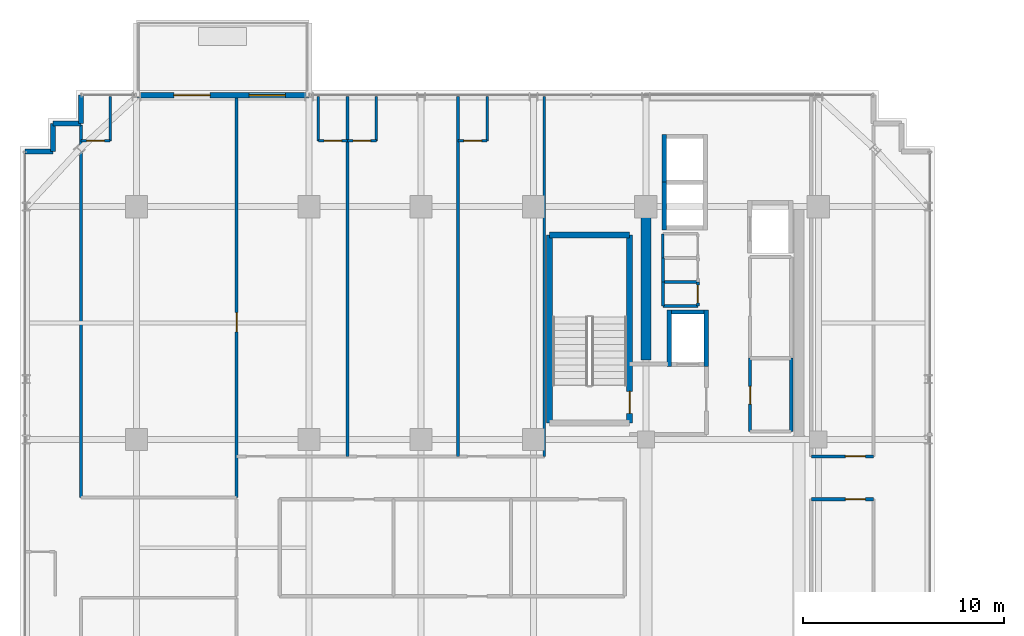
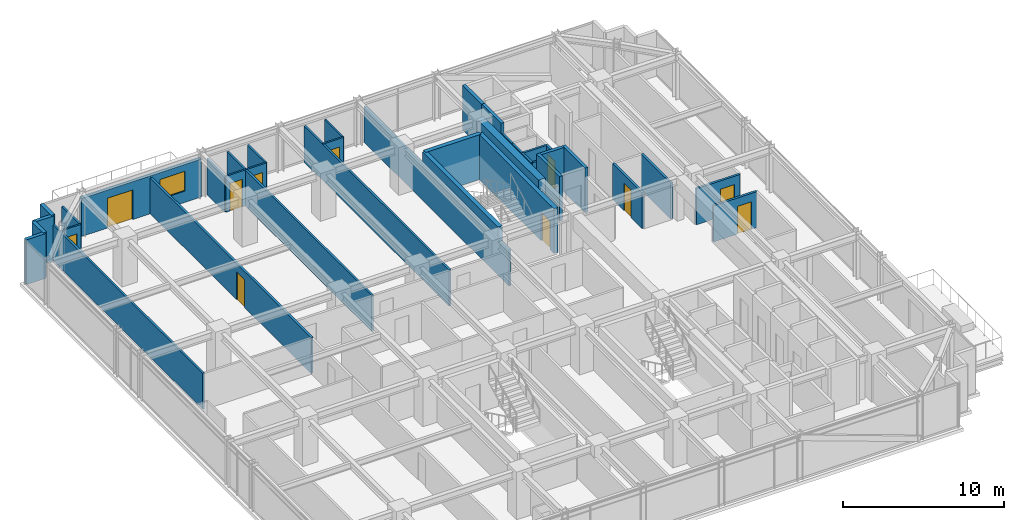
# One storey, part 24 of 29: 37 walls, 11 doors, 1 window, 12 openings.
"""IFC4 building model written with IfcOpenShell, lengths in metres."""

from ifc_helpers import new_model, si_unit, direction, frame, frame_2d, origin, place, context, subcontext, project, spatial, rectangle, extrude, source, transform, mapped, material, layer, layer_set, type_object, element, fill, save


model = new_model("IFC4")

# Units and contexts
model_context = context("Model", 3, precision=1e-05, world=origin(), true_north=direction((0.0, 1.0)))
body_context = subcontext(model_context, "Body", "Model", "MODEL_VIEW")
ifc_project = project(units=[si_unit("LENGTHUNIT", "METRE"), si_unit("AREAUNIT", "SQUARE_METRE"), si_unit("VOLUMEUNIT", "CUBIC_METRE"), si_unit("PLANEANGLEUNIT", "RADIAN"), si_unit("MASSUNIT", "GRAM", prefix="KILO")], contexts=[model_context])

# Site, building, storey
site_placement = place(None, origin())
site = spatial("IfcSite", under=ifc_project, at=site_placement, CompositionType="ELEMENT")
building_placement = place(site_placement, origin())
building = spatial("IfcBuilding", under=site, at=building_placement, Name="Nahalor Promenade Grand Hotel", CompositionType="ELEMENT")
storey_placement = place(building_placement, frame((0.0, 0.0, 189.14990234375)))
storey = spatial("IfcBuildingStorey", under=building, at=storey_placement, Name="L48", CompositionType="ELEMENT", Elevation=189.14990234375)

# Walls
ifc_material_1 = material(Name="Concrete B-60 (C50/60)", Category="concrete")
ifc_layer_1 = layer(ifc_material_1, 0.5)
ifc_layer_set_1 = layer_set([ifc_layer_1], Name="Concrete B-60 (C50/60)")
wall_type_1 = type_object("IfcWallType", Name="Wall-CoreShear-500", PredefinedType="SHEAR", material=ifc_layer_set_1)
shared_shape_1 = source(origin(), body_context, "Body", "SweptSolid", [
    extrude(rectangle(XDim=7.64990234375, YDim=0.5, at=frame_2d((3.824951171875, 0.0))), origin(), (0.0, 0.0, 1.0), 3.39013671875),
])
wall_1_placement = place(storey_placement, frame((8.39990234375, 9.35009765625, 0.0), z_axis=(0.0, 0.0, 1.0), x_axis=(0.0, 1.0, 0.0)))
element("IfcWall", 1, at=wall_1_placement, inside=storey, type_object=wall_type_1, Name="CWALL-L48-NW", PredefinedType="SHEAR", context=body_context, shape_type="MappedRepresentation", body=[
    mapped(shared_shape_1, transform((0.0, 0.0, 0.0), scale=1.0)),
])
ifc_material_2 = material(Name="Concrete B-50 (C40/50)", Category="concrete")
ifc_layer_2 = layer(ifc_material_2, 0.300048828125)
ifc_layer_set_2 = layer_set([ifc_layer_2], Name="Concrete B-50 (C40/50)")
wall_type_2 = type_object("IfcWallType", Name="Wall-ShaftShear-300", PredefinedType="SHEAR", material=ifc_layer_set_2)
shared_shape_2 = source(origin(), body_context, "Body", "SweptSolid", [
    extrude(rectangle(XDim=3.97998046875, YDim=0.300048828125, at=frame_2d((1.989990234375, 0.0))), origin(), (0.0, 0.0, 1.0), 3.39013671875),
])
wall_2_placement = place(storey_placement, frame((3.610107421875, 15.590087890625, 0.0), z_axis=(0.0, 0.0, 1.0), x_axis=(1.0, 0.0, 0.0)))
element("IfcWall", 2, at=wall_2_placement, inside=storey, type_object=wall_type_2, Name="L48 Exit Stair ST1 Shaft Wall N", PredefinedType="SHEAR", context=body_context, shape_type="MappedRepresentation", body=[
    mapped(shared_shape_2, transform((0.0, 0.0, 0.0), scale=1.0)),
])
shared_shape_3 = source(origin(), body_context, "Body", "SweptSolid", [
    extrude(rectangle(XDim=9.380126953125, YDim=0.300048828125, at=frame_2d((4.68994140625, 0.0))), origin(), (0.0, 0.0, 1.0), 3.39013671875),
])
wall_3_placement = place(storey_placement, frame((3.610107421875, 6.2099609375, 0.0), z_axis=(0.0, 0.0, 1.0), x_axis=(0.0, 1.0, 0.0)))
element("IfcWall", 3, at=wall_3_placement, inside=storey, type_object=wall_type_2, Name="L48 Exit Stair ST1 Shaft Wall W", PredefinedType="SHEAR", context=body_context, shape_type="MappedRepresentation", body=[
    mapped(shared_shape_3, transform((0.0, 0.0, 0.0), scale=1.0)),
])

# Wall, opening, door
wall_4_placement = place(storey_placement, frame((7.590087890625, 6.2099609375, 0.0), z_axis=(0.0, 0.0, 1.0), x_axis=(0.0, 1.0, 0.0)))
wall_4 = element("IfcWall", 4, at=wall_4_placement, inside=storey, type_object=wall_type_2, Name="L48 Exit Stair ST1 Shaft Wall E", PredefinedType="SHEAR", context=body_context, shape_type="MappedRepresentation", body=[
    mapped(shared_shape_3, transform((0.0, 0.0, 0.0), scale=1.0)),
])
opening_1_placement = place(wall_4_placement, frame((0.489990234375, 0.0, 0.0)))
opening_1 = element("IfcOpeningElement", 5, at=opening_1_placement, cuts=wall_4, Name="Opening D-ST1", PredefinedType="OPENING", context=body_context, shape_type="SweptSolid", body=[
    extrude(rectangle(XDim=1.10009765625, YDim=2.14990234375, at=frame_2d((0.550048828125, 1.074951171875))), frame((0.0, 0.159912109375, 0.0), z_axis=(0.0, -1.0, 0.0), x_axis=(1.0, 0.0, 0.0)), (0.0, 0.0, 1.0), 0.320068359375),
])
ifc_material_3 = material(Name="Steel S355JR", Category="steel")
door_type_1 = type_object("IfcDoorType", Name="Door-StairFire-1100", OperationType="NOTDEFINED", PredefinedType="DOOR", material=ifc_material_3)
shared_shape_4 = source(origin(), body_context, "Body", "SweptSolid", [
    extrude(rectangle(XDim=1.10009765625, YDim=2.14990234375, at=frame_2d((0.550048828125, 1.074951171875))), frame((0.0, 0.02490234375, 0.0), z_axis=(0.0, -1.0, 0.0), x_axis=(1.0, 0.0, 0.0)), (0.0, 0.0, 1.0), 0.050048828125),
])
door_1_placement = place(opening_1_placement, origin())
door_1 = element("IfcDoor", 6, at=door_1_placement, inside=storey, type_object=door_type_1, Name="DR-STAIR-ST1-L48", OperationType="SINGLE_SWING_LEFT", OverallHeight=2.14990234375, OverallWidth=1.10009765625, PredefinedType="DOOR", context=body_context, shape_type="MappedRepresentation", body=[
    mapped(shared_shape_4, transform((0.0, 0.0, 0.0), scale=1.0)),
])
fill(opening_1, door_1)

# Walls
ifc_layer_3 = layer(ifc_material_2, 0.219970703125)
ifc_layer_set_3 = layer_set([ifc_layer_3], Name="Concrete B-50 (C40/50)")
wall_type_3 = type_object("IfcWallType", Name="Wall-LiftShaft-220", PredefinedType="SHEAR", material=ifc_layer_set_3)
shared_shape_5 = source(origin(), body_context, "Body", "SweptSolid", [
    extrude(rectangle(XDim=2.385009765625, YDim=0.219970703125, at=frame_2d((1.1923828125, 0.0))), origin(), (0.0, 0.0, 1.0), 3.39013671875),
])
for number, where, z_axis, x_axis, name in (
    (7, (9.330078125, 15.840087890625, 0.0), (0.0, 0.0, 1.0), (0.0, 1.0, 0.0), "L48 Lift OB1 Hoistway Wall W"),
    (8, (9.330078125, 18.22509765625, 0.0), (0.0, 0.0, 1.0), (0.0, 1.0, 0.0), "L48 Lift OB2 Hoistway Wall W"),
):
    element("IfcWall", number, at=place(storey_placement, frame(where, z_axis=z_axis, x_axis=x_axis)), inside=storey, type_object=wall_type_3, Name=name, PredefinedType="SHEAR", context=body_context, shape_type="MappedRepresentation", body=[
        mapped(shared_shape_5, transform((0.0, 0.0, 0.0), scale=1.0)),
    ])
shared_shape_6 = source(origin(), body_context, "Body", "SweptSolid", [
    extrude(rectangle(XDim=2.820068359375, YDim=0.219970703125, at=frame_2d((1.41015625, 0.0))), origin(), (0.0, 0.0, 1.0), 3.39013671875),
])
for number, where, z_axis, x_axis, name in (
    (9, (9.580078125, 9.0400390625, 0.0), (0.0, 0.0, 1.0), (0.0, 1.0, 0.0), "L48 Lift FL1 Hoistway Wall W"),
    (10, (11.419921875, 9.0400390625, 0.0), (0.0, 0.0, 1.0), (0.0, 1.0, 0.0), "L48 Lift FL1 Hoistway Wall E"),
):
    element("IfcWall", number, at=place(storey_placement, frame(where, z_axis=z_axis, x_axis=x_axis)), inside=storey, type_object=wall_type_3, Name=name, PredefinedType="SHEAR", context=body_context, shape_type="MappedRepresentation", body=[
        mapped(shared_shape_6, transform((0.0, 0.0, 0.0), scale=1.0)),
    ])
shared_shape_7 = source(origin(), body_context, "Body", "SweptSolid", [
    extrude(rectangle(XDim=1.6201171875, YDim=0.219970703125, at=frame_2d((0.81005859375, 0.0))), origin(), (0.0, 0.0, 1.0), 3.39013671875),
])
wall_5_placement = place(storey_placement, frame((9.68994140625, 11.75, 0.0), z_axis=(0.0, 0.0, 1.0), x_axis=(1.0, 0.0, 0.0)))
element("IfcWall", 11, at=wall_5_placement, inside=storey, type_object=wall_type_3, Name="L48 Lift FL1 Hoistway Wall N", PredefinedType="SHEAR", context=body_context, shape_type="MappedRepresentation", body=[
    mapped(shared_shape_7, transform((0.0, 0.0, 0.0), scale=1.0)),
])

# Wall, openings, door, window
ifc_material_4 = material(Name="Concrete B-40 (C32/40)", Category="concrete")
ifc_layer_4 = layer(ifc_material_4, 0.260009765625)
ifc_layer_set_4 = layer_set([ifc_layer_4], Name="Concrete B-40 (C32/40)")
wall_type_4 = type_object("IfcWallType", Name="Wall-BalconyWall-260", PredefinedType="STANDARD", material=ifc_layer_set_4)
shared_shape_8 = source(origin(), body_context, "Body", "SweptSolid", [
    extrude(rectangle(XDim=8.60009765625, YDim=0.260009765625, at=frame_2d((4.300048828125, 0.0))), origin(), (0.0, 0.0, 1.0), 2.8701171875),
])
wall_6_placement = place(storey_placement, frame((-17.0, 22.56005859375, 0.0), z_axis=(0.0, 0.0, 1.0), x_axis=(1.0, 0.0, 0.0)))
wall_6 = element("IfcWall", 12, at=wall_6_placement, inside=storey, type_object=wall_type_4, Name="W-L48-BALC-N-2", PredefinedType="STANDARD", context=body_context, shape_type="MappedRepresentation", body=[
    mapped(shared_shape_8, transform((0.0, 0.0, 0.0), scale=1.0)),
])
opening_2_placement = place(wall_6_placement, frame((1.875, 0.0, 0.0)))
opening_2 = element("IfcOpeningElement", 13, at=opening_2_placement, cuts=wall_6, Name="Opening D-BC1", PredefinedType="OPENING", context=body_context, shape_type="SweptSolid", body=[
    extrude(rectangle(XDim=1.800048828125, YDim=2.25, at=frame_2d((0.89990234375, 1.125))), frame((0.0, 0.139892578125, 0.0), z_axis=(0.0, -1.0, 0.0), x_axis=(1.0, 0.0, 0.0)), (0.0, 0.0, 1.0), 0.280029296875),
])
opening_3_placement = place(wall_6_placement, frame((5.625, 0.0, 0.85009765625)))
opening_3 = element("IfcOpeningElement", 14, at=opening_3_placement, cuts=wall_6, Name="Opening WN-01", PredefinedType="OPENING", context=body_context, shape_type="SweptSolid", body=[
    extrude(rectangle(XDim=1.800048828125, YDim=1.5, at=frame_2d((0.89990234375, 0.75))), frame((0.0, 0.139892578125, 0.0), z_axis=(0.0, -1.0, 0.0), x_axis=(1.0, 0.0, 0.0)), (0.0, 0.0, 1.0), 0.280029296875),
])
ifc_material_5 = material(Name="Anodised Bronze Aluminium EN AW-6063 T6", Category="aluminium")
door_type_2 = type_object("IfcDoorType", Name="Door-BalconySlide-1800", OperationType="DOUBLE_DOOR_SLIDING", PredefinedType="DOOR", material=ifc_material_5)
shared_shape_9 = source(origin(), body_context, "Body", "SweptSolid", [
    extrude(rectangle(XDim=1.800048828125, YDim=2.25, at=frame_2d((0.89990234375, 1.125))), frame((0.0, 0.02490234375, 0.0), z_axis=(0.0, -1.0, 0.0), x_axis=(1.0, 0.0, 0.0)), (0.0, 0.0, 1.0), 0.050048828125),
])
door_2_placement = place(opening_2_placement, origin())
door_2 = element("IfcDoor", 15, at=door_2_placement, inside=storey, type_object=door_type_2, Name="DR-L48-BALC-N-2", OperationType="DOUBLE_DOOR_SLIDING", OverallHeight=2.25, OverallWidth=1.800048828125, PredefinedType="DOOR", context=body_context, shape_type="MappedRepresentation", body=[
    mapped(shared_shape_9, transform((0.0, 0.0, 0.0), scale=1.0)),
])
fill(opening_2, door_2)
ifc_material_6 = material(Name="Low-E Laminated Solar Glass", Category="glass")
window_type = type_object("IfcWindowType", Name="Win-ChicagoBay-1800x1500", PartitioningType="SINGLE_PANEL", PredefinedType="WINDOW", material=ifc_material_6)
shared_shape_10 = source(origin(), body_context, "Body", "SweptSolid", [
    extrude(rectangle(XDim=1.800048828125, YDim=1.5, at=frame_2d((0.89990234375, 0.75))), frame((0.0, 0.030029296875, 0.0), z_axis=(0.0, -1.0, 0.0), x_axis=(1.0, 0.0, 0.0)), (0.0, 0.0, 1.0), 0.06005859375),
])
window_placement = place(opening_3_placement, origin())
window = element("IfcWindow", 16, at=window_placement, inside=storey, type_object=window_type, Name="WN-L48-BALC-N-2-1", OverallHeight=1.5, OverallWidth=1.800048828125, PartitioningType="SINGLE_PANEL", PredefinedType="WINDOW", context=body_context, shape_type="MappedRepresentation", body=[
    mapped(shared_shape_10, transform((0.0, 0.0, 0.0), scale=1.0)),
])
fill(opening_3, window)

# Walls
ifc_layer_5 = layer(ifc_material_4, 0.25)
ifc_layer_set_5 = layer_set([ifc_layer_5], Name="Concrete B-40 (C32/40)")
wall_type_5 = type_object("IfcWallType", Name="Wall-BronzePier-250", PredefinedType="STANDARD", material=ifc_layer_set_5)
shared_shape_11 = source(origin(), body_context, "Body", "SweptSolid", [
    extrude(rectangle(XDim=1.400146484375, YDim=0.25, at=frame_2d((0.7001953125, 0.0))), origin(), (0.0, 0.0, 1.0), 3.39013671875),
])
for number, where, z_axis, x_axis, name in (
    (17, (-19.760009765625, 21.159912109375, 0.0), (0.0, 0.0, 1.0), (0.0, 1.0, 0.0), "W-L48-SR-09"),
    (18, (-22.56005859375, 19.760009765625, 0.0), (0.0, 0.0, 1.0), (1.0, 0.0, 0.0), "W-L48-SR-12"),
):
    element("IfcWall", number, at=place(storey_placement, frame(where, z_axis=z_axis, x_axis=x_axis)), inside=storey, type_object=wall_type_5, Name=name, PredefinedType="STANDARD", context=body_context, shape_type="MappedRepresentation", body=[
        mapped(shared_shape_11, transform((0.0, 0.0, 0.0), scale=1.0)),
    ])
shared_shape_12 = source(origin(), body_context, "Body", "SweptSolid", [
    extrude(rectangle(XDim=1.39990234375, YDim=0.25, at=frame_2d((0.699951171875, 0.0))), origin(), (0.0, 0.0, 1.0), 3.39013671875),
])
for number, where, z_axis, x_axis, name in (
    (19, (-21.159912109375, 21.159912109375, 0.0), (0.0, 0.0, 1.0), (1.0, 0.0, 0.0), "W-L48-SR-10"),
    (20, (-21.159912109375, 19.760009765625, 0.0), (0.0, 0.0, 1.0), (0.0, 1.0, 0.0), "W-L48-SR-11"),
):
    element("IfcWall", number, at=place(storey_placement, frame(where, z_axis=z_axis, x_axis=x_axis)), inside=storey, type_object=wall_type_5, Name=name, PredefinedType="STANDARD", context=body_context, shape_type="MappedRepresentation", body=[
        mapped(shared_shape_12, transform((0.0, 0.0, 0.0), scale=1.0)),
    ])
ifc_material_7 = material(Name="Acoustic Mineral Gypsum", Category="gypsum")
ifc_layer_6 = layer(ifc_material_7, 0.14990234375)
ifc_layer_set_6 = layer_set([ifc_layer_6], Name="Acoustic Mineral Gypsum")
wall_type_6 = type_object("IfcWallType", Name="Wall-PartService-150", PredefinedType="PARTITIONING", material=ifc_layer_set_6)
shared_shape_13 = source(origin(), body_context, "Body", "SweptSolid", [
    extrude(rectangle(XDim=1.75, YDim=0.14990234375, at=frame_2d((0.875, 0.0))), origin(), (0.0, 0.0, 1.0), 2.72998046875),
])
for number, where, z_axis, x_axis, name in (
    (21, (9.25, 12.050048828125, 0.0), (0.0, 0.0, 1.0), (1.0, 0.0, 0.0), "W-L48-CK3A-S"),
    (22, (9.25, 13.25, 0.0), (0.0, 0.0, 1.0), (1.0, 0.0, 0.0), "W-L48-CK3A-N"),
):
    element("IfcWall", number, at=place(storey_placement, frame(where, z_axis=z_axis, x_axis=x_axis)), inside=storey, type_object=wall_type_6, Name=name, PredefinedType="PARTITIONING", context=body_context, shape_type="MappedRepresentation", body=[
        mapped(shared_shape_13, transform((0.0, 0.0, 0.0), scale=1.0)),
    ])

# Wall, opening, door
ifc_layer_7 = layer(ifc_material_7, 0.159912109375)
ifc_layer_set_7 = layer_set([ifc_layer_7], Name="Acoustic Mineral Gypsum")
wall_type_7 = type_object("IfcWallType", Name="Wall-PartCorridor-160", PredefinedType="PARTITIONING", material=ifc_layer_set_7)
shared_shape_14 = source(origin(), body_context, "Body", "SweptSolid", [
    extrude(rectangle(XDim=3.110107421875, YDim=0.159912109375, at=frame_2d((1.55517578125, 0.0))), origin(), (0.0, 0.0, 1.0), 2.72998046875),
])
wall_7_placement = place(storey_placement, frame((16.64990234375, 4.550048828125, 0.0), z_axis=(0.0, 0.0, 1.0), x_axis=(1.0, 0.0, 0.0)))
wall_7 = element("IfcWall", 23, at=wall_7_placement, inside=storey, type_object=wall_type_7, Name="W-L48-ENE-S", PredefinedType="PARTITIONING", context=body_context, shape_type="MappedRepresentation", body=[
    mapped(shared_shape_14, transform((0.0, 0.0, 0.0), scale=1.0)),
])
opening_4_placement = place(wall_7_placement, frame((1.700927734375, 0.0, 0.0)))
opening_4 = element("IfcOpeningElement", 24, at=opening_4_placement, cuts=wall_7, Name="Opening D-04", PredefinedType="OPENING", context=body_context, shape_type="SweptSolid", body=[
    extrude(rectangle(XDim=1.0, YDim=2.10009765625, at=frame_2d((0.5, 1.050048828125))), frame((0.0, 0.08984375, 0.0), z_axis=(0.0, -1.0, 0.0), x_axis=(1.0, 0.0, 0.0)), (0.0, 0.0, 1.0), 0.179931640625),
])
door_type_3 = type_object("IfcDoorType", Name="Door-ServiceFire-1000", OperationType="NOTDEFINED", PredefinedType="DOOR", material=ifc_material_3)
shared_shape_15 = source(origin(), body_context, "Body", "SweptSolid", [
    extrude(rectangle(XDim=1.0, YDim=2.10009765625, at=frame_2d((0.5, 1.050048828125))), frame((0.0, 0.02490234375, 0.0), z_axis=(0.0, -1.0, 0.0), x_axis=(1.0, 0.0, 0.0)), (0.0, 0.0, 1.0), 0.050048828125),
])
door_3_placement = place(opening_4_placement, origin())
door_3 = element("IfcDoor", 25, at=door_3_placement, inside=storey, type_object=door_type_3, Name="DR-L48-ENE", OperationType="SINGLE_SWING_RIGHT", OverallHeight=2.10009765625, OverallWidth=1.0, PredefinedType="DOOR", context=body_context, shape_type="MappedRepresentation", body=[
    mapped(shared_shape_15, transform((0.0, 0.0, 0.0), scale=1.0)),
])
fill(opening_4, door_3)

wall_8_placement = place(storey_placement, frame((16.64990234375, 2.419921875, 0.0), z_axis=(0.0, 0.0, 1.0), x_axis=(1.0, 0.0, 0.0)))
wall_8 = element("IfcWall", 26, at=wall_8_placement, inside=storey, type_object=wall_type_7, Name="W-L48-ECW-N", PredefinedType="PARTITIONING", context=body_context, shape_type="MappedRepresentation", body=[
    mapped(shared_shape_14, transform((0.0, 0.0, 0.0), scale=1.0)),
])
opening_5_placement = place(wall_8_placement, frame((1.700927734375, 0.0, 0.0)))
opening_5 = element("IfcOpeningElement", 27, at=opening_5_placement, cuts=wall_8, Name="Opening D-04", PredefinedType="OPENING", context=body_context, shape_type="SweptSolid", body=[
    extrude(rectangle(XDim=1.0, YDim=2.10009765625, at=frame_2d((0.5, 1.050048828125))), frame((0.0, 0.08984375, 0.0), z_axis=(0.0, -1.0, 0.0), x_axis=(1.0, 0.0, 0.0)), (0.0, 0.0, 1.0), 0.179931640625),
])
door_4_placement = place(opening_5_placement, frame((1.0, 0.0, 0.0), z_axis=(0.0, 0.0, 1.0), x_axis=(-1.0, 0.0, 0.0)))
door_4 = element("IfcDoor", 28, at=door_4_placement, inside=storey, type_object=door_type_3, Name="DR-L48-ECW", OperationType="SINGLE_SWING_LEFT", OverallHeight=2.10009765625, OverallWidth=1.0, PredefinedType="DOOR", context=body_context, shape_type="MappedRepresentation", body=[
    mapped(shared_shape_15, transform((0.0, 0.0, 0.0), scale=1.0)),
])
fill(opening_5, door_4)

shared_shape_16 = source(origin(), body_context, "Body", "SweptSolid", [
    extrude(rectangle(XDim=20.0, YDim=0.159912109375, at=frame_2d((10.0, 0.0))), origin(), (0.0, 0.0, 1.0), 2.72998046875),
])
wall_9_placement = place(storey_placement, frame((-12.0, 2.5, 0.0), z_axis=(0.0, 0.0, 1.0), x_axis=(0.0, 1.0, 0.0)))
wall_9 = element("IfcWall", 29, at=wall_9_placement, inside=storey, type_object=wall_type_7, Name="W-L48-ZNW-E", PredefinedType="PARTITIONING", context=body_context, shape_type="MappedRepresentation", body=[
    mapped(shared_shape_16, transform((0.0, 0.0, 0.0), scale=1.0)),
])
opening_6_placement = place(wall_9_placement, frame((8.264892578125, 0.0, 0.0)))
opening_6 = element("IfcOpeningElement", 30, at=opening_6_placement, cuts=wall_9, Name="Opening D-01", PredefinedType="OPENING", context=body_context, shape_type="SweptSolid", body=[
    extrude(rectangle(XDim=0.949951171875, YDim=2.10009765625, at=frame_2d((0.47509765625, 1.050048828125))), frame((0.0, 0.08984375, 0.0), z_axis=(0.0, -1.0, 0.0), x_axis=(1.0, 0.0, 0.0)), (0.0, 0.0, 1.0), 0.179931640625),
])
ifc_material_8 = material(Name="Fire-Rated Timber Composite", Category="wood")
door_type_4 = type_object("IfcDoorType", Name="Door-GuestEntry-950", OperationType="NOTDEFINED", PredefinedType="DOOR", material=ifc_material_8)
shared_shape_17 = source(origin(), body_context, "Body", "SweptSolid", [
    extrude(rectangle(XDim=0.949951171875, YDim=2.10009765625, at=frame_2d((0.47509765625, 1.050048828125))), frame((0.0, 0.02490234375, 0.0), z_axis=(0.0, -1.0, 0.0), x_axis=(1.0, 0.0, 0.0)), (0.0, 0.0, 1.0), 0.050048828125),
])
door_5_placement = place(opening_6_placement, origin())
door_5 = element("IfcDoor", 31, at=door_5_placement, inside=storey, type_object=door_type_4, Name="DR-L48-NW0-ENT", OperationType="SINGLE_SWING_LEFT", OverallHeight=2.10009765625, OverallWidth=0.949951171875, PredefinedType="DOOR", context=body_context, shape_type="MappedRepresentation", body=[
    mapped(shared_shape_17, transform((0.0, 0.0, 0.0), scale=1.0)),
])
fill(opening_6, door_5)

# Wall
ifc_layer_8 = layer(ifc_material_7, 0.139892578125)
ifc_layer_set_8 = layer_set([ifc_layer_8], Name="Acoustic Mineral Gypsum")
wall_type_8 = type_object("IfcWallType", Name="Wall-PartSuite-140", PredefinedType="PARTITIONING", material=ifc_layer_set_8)
shared_shape_18 = source(origin(), body_context, "Body", "SweptSolid", [
    extrude(rectangle(XDim=18.580078125, YDim=0.139892578125, at=frame_2d((9.2900390625, 0.0))), origin(), (0.0, 0.0, 1.0), 2.72998046875),
])
wall_10_placement = place(storey_placement, frame((-19.760009765625, 2.5, 0.0), z_axis=(0.0, 0.0, 1.0), x_axis=(0.0, 1.0, 0.0)))
element("IfcWall", 32, at=wall_10_placement, inside=storey, type_object=wall_type_8, Name="W-L48-ZNW-W", PredefinedType="PARTITIONING", context=body_context, shape_type="MappedRepresentation", body=[
    mapped(shared_shape_18, transform((0.0, 0.0, 0.0), scale=1.0)),
])

# Wall, opening, door
ifc_layer_9 = layer(ifc_material_7, 0.1201171875)
ifc_layer_set_9 = layer_set([ifc_layer_9], Name="Acoustic Mineral Gypsum")
wall_type_9 = type_object("IfcWallType", Name="Wall-PartBath-120", PredefinedType="PARTITIONING", material=ifc_layer_set_9)
shared_shape_19 = source(origin(), body_context, "Body", "SweptSolid", [
    extrude(rectangle(XDim=1.449951171875, YDim=0.1201171875, at=frame_2d((0.72509765625, 0.0))), origin(), (0.0, 0.0, 1.0), 2.72998046875),
])
wall_11_placement = place(storey_placement, frame((-19.760009765625, 20.280029296875, 0.0), z_axis=(0.0, 0.0, 1.0), x_axis=(1.0, 0.0, 0.0)))
wall_11 = element("IfcWall", 33, at=wall_11_placement, inside=storey, type_object=wall_type_9, Name="W-L48-NW0-BH", PredefinedType="PARTITIONING", context=body_context, shape_type="MappedRepresentation", body=[
    mapped(shared_shape_19, transform((0.0, 0.0, 0.0), scale=1.0)),
])
opening_7_placement = place(wall_11_placement, frame((0.284912109375, 0.0, 0.0)))
opening_7 = element("IfcOpeningElement", 34, at=opening_7_placement, cuts=wall_11, Name="Opening D-03", PredefinedType="OPENING", context=body_context, shape_type="SweptSolid", body=[
    extrude(rectangle(XDim=0.8798828125, YDim=2.10009765625, at=frame_2d((0.43994140625, 1.050048828125))), frame((0.0, 0.070068359375, 0.0), z_axis=(0.0, -1.0, 0.0), x_axis=(1.0, 0.0, 0.0)), (0.0, 0.0, 1.0), 0.14013671875),
])
door_type_5 = type_object("IfcDoorType", Name="Door-BathSwing-880", OperationType="NOTDEFINED", PredefinedType="DOOR", material=ifc_material_8)
shared_shape_20 = source(origin(), body_context, "Body", "SweptSolid", [
    extrude(rectangle(XDim=0.8798828125, YDim=2.10009765625, at=frame_2d((0.43994140625, 1.050048828125))), frame((0.0, 0.02490234375, 0.0), z_axis=(0.0, -1.0, 0.0), x_axis=(1.0, 0.0, 0.0)), (0.0, 0.0, 1.0), 0.050048828125),
])
door_6_placement = place(opening_7_placement, origin())
door_6 = element("IfcDoor", 35, at=door_6_placement, inside=storey, type_object=door_type_5, Name="DR-L48-NW0-BATH", OperationType="SINGLE_SWING_RIGHT", OverallHeight=2.10009765625, OverallWidth=0.8798828125, PredefinedType="DOOR", context=body_context, shape_type="MappedRepresentation", body=[
    mapped(shared_shape_20, transform((0.0, 0.0, 0.0), scale=1.0)),
])
fill(opening_7, door_6)

wall_12_placement = place(storey_placement, frame((-7.927978515625, 20.280029296875, 0.0), z_axis=(0.0, 0.0, 1.0), x_axis=(1.0, 0.0, 0.0)))
wall_12 = element("IfcWall", 36, at=wall_12_placement, inside=storey, type_object=wall_type_9, Name="W-L48-N1-BH", PredefinedType="PARTITIONING", context=body_context, shape_type="MappedRepresentation", body=[
    mapped(shared_shape_19, transform((0.0, 0.0, 0.0), scale=1.0)),
])
opening_8_placement = place(wall_12_placement, frame((0.284912109375, 0.0, 0.0)))
opening_8 = element("IfcOpeningElement", 37, at=opening_8_placement, cuts=wall_12, Name="Opening D-03", PredefinedType="OPENING", context=body_context, shape_type="SweptSolid", body=[
    extrude(rectangle(XDim=0.8798828125, YDim=2.10009765625, at=frame_2d((0.43994140625, 1.050048828125))), frame((0.0, 0.070068359375, 0.0), z_axis=(0.0, -1.0, 0.0), x_axis=(1.0, 0.0, 0.0)), (0.0, 0.0, 1.0), 0.14013671875),
])
door_7_placement = place(opening_8_placement, origin())
door_7 = element("IfcDoor", 38, at=door_7_placement, inside=storey, type_object=door_type_5, Name="DR-L48-N1-BATH", OperationType="SINGLE_SWING_RIGHT", OverallHeight=2.10009765625, OverallWidth=0.8798828125, PredefinedType="DOOR", context=body_context, shape_type="MappedRepresentation", body=[
    mapped(shared_shape_20, transform((0.0, 0.0, 0.0), scale=1.0)),
])
fill(opening_8, door_7)

wall_13_placement = place(storey_placement, frame((-6.47802734375, 20.280029296875, 0.0), z_axis=(0.0, 0.0, 1.0), x_axis=(1.0, 0.0, 0.0)))
wall_13 = element("IfcWall", 39, at=wall_13_placement, inside=storey, type_object=wall_type_9, Name="W-L48-N2-BH", PredefinedType="PARTITIONING", context=body_context, shape_type="MappedRepresentation", body=[
    mapped(shared_shape_19, transform((0.0, 0.0, 0.0), scale=1.0)),
])
opening_9_placement = place(wall_13_placement, frame((0.284912109375, 0.0, 0.0)))
opening_9 = element("IfcOpeningElement", 40, at=opening_9_placement, cuts=wall_13, Name="Opening D-03", PredefinedType="OPENING", context=body_context, shape_type="SweptSolid", body=[
    extrude(rectangle(XDim=0.8798828125, YDim=2.10009765625, at=frame_2d((0.43994140625, 1.050048828125))), frame((0.0, 0.070068359375, 0.0), z_axis=(0.0, -1.0, 0.0), x_axis=(1.0, 0.0, 0.0)), (0.0, 0.0, 1.0), 0.14013671875),
])
door_8_placement = place(opening_9_placement, origin())
door_8 = element("IfcDoor", 41, at=door_8_placement, inside=storey, type_object=door_type_5, Name="DR-L48-N2-BATH", OperationType="SINGLE_SWING_RIGHT", OverallHeight=2.10009765625, OverallWidth=0.8798828125, PredefinedType="DOOR", context=body_context, shape_type="MappedRepresentation", body=[
    mapped(shared_shape_20, transform((0.0, 0.0, 0.0), scale=1.0)),
])
fill(opening_9, door_8)

# Walls
shared_shape_21 = source(origin(), body_context, "Body", "SweptSolid", [
    extrude(rectangle(XDim=2.219970703125, YDim=0.1201171875, at=frame_2d((1.10986328125, 0.0))), origin(), (0.0, 0.0, 1.0), 2.72998046875),
])
for number, where, z_axis, x_axis, name in (
    (42, (-18.31005859375, 20.280029296875, 0.0), (0.0, 0.0, 1.0), (0.0, 1.0, 0.0), "W-L48-NW0-BV"),
    (43, (-7.927978515625, 20.280029296875, 0.0), (0.0, 0.0, 1.0), (0.0, 1.0, 0.0), "W-L48-N1-BV"),
    (44, (-5.028076171875, 20.280029296875, 0.0), (0.0, 0.0, 1.0), (0.0, 1.0, 0.0), "W-L48-N2-BV"),
    (45, (0.4951171875, 20.280029296875, 0.0), (0.0, 0.0, 1.0), (0.0, 1.0, 0.0), "W-L48-N3-BV"),
):
    element("IfcWall", number, at=place(storey_placement, frame(where, z_axis=z_axis, x_axis=x_axis)), inside=storey, type_object=wall_type_9, Name=name, PredefinedType="PARTITIONING", context=body_context, shape_type="MappedRepresentation", body=[
        mapped(shared_shape_21, transform((0.0, 0.0, 0.0), scale=1.0)),
    ])
shared_shape_22 = source(origin(), body_context, "Body", "SweptSolid", [
    extrude(rectangle(XDim=17.949951171875, YDim=0.139892578125, at=frame_2d((8.97509765625, 0.0))), origin(), (0.0, 0.0, 1.0), 2.72998046875),
])
for number, where, z_axis, x_axis, name in (
    (46, (3.340087890625, 4.550048828125, 0.0), (0.0, 0.0, 1.0), (0.0, 1.0, 0.0), "W-L48-NW-ENDE"),
    (47, (-6.47802734375, 4.550048828125, 0.0), (0.0, 0.0, 1.0), (0.0, 1.0, 0.0), "W-L48-NP-1"),
    (48, (-0.955078125, 4.550048828125, 0.0), (0.0, 0.0, 1.0), (0.0, 1.0, 0.0), "W-L48-NP-2"),
):
    element("IfcWall", number, at=place(storey_placement, frame(where, z_axis=z_axis, x_axis=x_axis)), inside=storey, type_object=wall_type_8, Name=name, PredefinedType="PARTITIONING", context=body_context, shape_type="MappedRepresentation", body=[
        mapped(shared_shape_22, transform((0.0, 0.0, 0.0), scale=1.0)),
    ])

# Wall, opening, door
shared_shape_23 = source(origin(), body_context, "Body", "SweptSolid", [
    extrude(rectangle(XDim=1.4501953125, YDim=0.1201171875, at=frame_2d((0.72509765625, 0.0))), origin(), (0.0, 0.0, 1.0), 2.72998046875),
])
wall_14_placement = place(storey_placement, frame((-0.955078125, 20.280029296875, 0.0), z_axis=(0.0, 0.0, 1.0), x_axis=(1.0, 0.0, 0.0)))
wall_14 = element("IfcWall", 49, at=wall_14_placement, inside=storey, type_object=wall_type_9, Name="W-L48-N3-BH", PredefinedType="PARTITIONING", context=body_context, shape_type="MappedRepresentation", body=[
    mapped(shared_shape_23, transform((0.0, 0.0, 0.0), scale=1.0)),
])
opening_10_placement = place(wall_14_placement, frame((0.284912109375, 0.0, 0.0)))
opening_10 = element("IfcOpeningElement", 50, at=opening_10_placement, cuts=wall_14, Name="Opening D-03", PredefinedType="OPENING", context=body_context, shape_type="SweptSolid", body=[
    extrude(rectangle(XDim=0.8798828125, YDim=2.10009765625, at=frame_2d((0.43994140625, 1.050048828125))), frame((0.0, 0.070068359375, 0.0), z_axis=(0.0, -1.0, 0.0), x_axis=(1.0, 0.0, 0.0)), (0.0, 0.0, 1.0), 0.14013671875),
])
door_9_placement = place(opening_10_placement, origin())
door_9 = element("IfcDoor", 51, at=door_9_placement, inside=storey, type_object=door_type_5, Name="DR-L48-N3-BATH", OperationType="SINGLE_SWING_RIGHT", OverallHeight=2.10009765625, OverallWidth=0.8798828125, PredefinedType="DOOR", context=body_context, shape_type="MappedRepresentation", body=[
    mapped(shared_shape_20, transform((0.0, 0.0, 0.0), scale=1.0)),
])
fill(opening_10, door_9)

# Wall
shared_shape_24 = source(origin(), body_context, "Body", "SweptSolid", [
    extrude(rectangle(XDim=1.199951171875, YDim=0.14990234375, at=frame_2d((0.60009765625, 0.0))), origin(), (0.0, 0.0, 1.0), 2.72998046875),
])
wall_15_placement = place(storey_placement, frame((9.25, 12.050048828125, 0.0), z_axis=(0.0, 0.0, 1.0), x_axis=(0.0, 1.0, 0.0)))
element("IfcWall", 52, at=wall_15_placement, inside=storey, type_object=wall_type_6, Name="W-L48-CK3A-W", PredefinedType="PARTITIONING", context=body_context, shape_type="MappedRepresentation", body=[
    mapped(shared_shape_24, transform((0.0, 0.0, 0.0), scale=1.0)),
])

# Wall, opening, door
wall_16_placement = place(storey_placement, frame((11.0, 12.050048828125, 0.0), z_axis=(0.0, 0.0, 1.0), x_axis=(0.0, 1.0, 0.0)))
wall_16 = element("IfcWall", 53, at=wall_16_placement, inside=storey, type_object=wall_type_6, Name="W-L48-CK3A-E", PredefinedType="PARTITIONING", context=body_context, shape_type="MappedRepresentation", body=[
    mapped(shared_shape_24, transform((0.0, 0.0, 0.0), scale=1.0)),
])
opening_11_placement = place(wall_16_placement, frame((0.159912109375, 0.0, 0.0)))
opening_11 = element("IfcOpeningElement", 54, at=opening_11_placement, cuts=wall_16, Name="Opening D-03", PredefinedType="OPENING", context=body_context, shape_type="SweptSolid", body=[
    extrude(rectangle(XDim=0.8798828125, YDim=2.10009765625, at=frame_2d((0.43994140625, 1.050048828125))), frame((0.0, 0.0849609375, 0.0), z_axis=(0.0, -1.0, 0.0), x_axis=(1.0, 0.0, 0.0)), (0.0, 0.0, 1.0), 0.169921875),
])
door_10_placement = place(opening_11_placement, origin())
door_10 = element("IfcDoor", 55, at=door_10_placement, inside=storey, type_object=door_type_5, Name="DR-L48-CK3A", OperationType="SINGLE_SWING_LEFT", OverallHeight=2.10009765625, OverallWidth=0.8798828125, PredefinedType="DOOR", context=body_context, shape_type="MappedRepresentation", body=[
    mapped(shared_shape_20, transform((0.0, 0.0, 0.0), scale=1.0)),
])
fill(opening_11, door_10)

# Walls
wall_17_placement = place(storey_placement, frame((9.25, 13.25, 0.0), z_axis=(0.0, 0.0, 1.0), x_axis=(0.0, 1.0, 0.0)))
element("IfcWall", 56, at=wall_17_placement, inside=storey, type_object=wall_type_6, Name="W-L48-CK3B-W", PredefinedType="PARTITIONING", context=body_context, shape_type="MappedRepresentation", body=[
    mapped(shared_shape_24, transform((0.0, 0.0, 0.0), scale=1.0)),
])
shared_shape_25 = source(origin(), body_context, "Body", "SweptSolid", [
    extrude(rectangle(XDim=1.199951171875, YDim=0.1201171875, at=frame_2d((0.60009765625, 0.0))), origin(), (0.0, 0.0, 1.0), 2.72998046875),
])
wall_18_placement = place(storey_placement, frame((9.25, 14.449951171875, 0.0), z_axis=(0.0, 0.0, 1.0), x_axis=(0.0, 1.0, 0.0)))
element("IfcWall", 57, at=wall_18_placement, inside=storey, type_object=wall_type_9, Name="W-L48-CK3C-W", PredefinedType="PARTITIONING", context=body_context, shape_type="MappedRepresentation", body=[
    mapped(shared_shape_25, transform((0.0, 0.0, 0.0), scale=1.0)),
])

# Wall, opening, door
shared_shape_26 = source(origin(), body_context, "Body", "SweptSolid", [
    extrude(rectangle(XDim=3.64990234375, YDim=0.159912109375, at=frame_2d((1.824951171875, 0.0))), origin(), (0.0, 0.0, 1.0), 2.72998046875),
])
wall_19_placement = place(storey_placement, frame((13.60009765625, 5.800048828125, 0.0), z_axis=(0.0, 0.0, 1.0), x_axis=(0.0, 1.0, 0.0)))
wall_19 = element("IfcWall", 58, at=wall_19_placement, inside=storey, type_object=wall_type_7, Name="W-L48-FRB1A-W", PredefinedType="PARTITIONING", context=body_context, shape_type="MappedRepresentation", body=[
    mapped(shared_shape_26, transform((0.0, 0.0, 0.0), scale=1.0)),
])
opening_12_placement = place(wall_19_placement, frame((1.360107421875, 0.0, 0.0)))
opening_12 = element("IfcOpeningElement", 59, at=opening_12_placement, cuts=wall_19, Name="Opening D-03", PredefinedType="OPENING", context=body_context, shape_type="SweptSolid", body=[
    extrude(rectangle(XDim=0.8798828125, YDim=2.10009765625, at=frame_2d((0.43994140625, 1.050048828125))), frame((0.0, 0.08984375, 0.0), z_axis=(0.0, -1.0, 0.0), x_axis=(1.0, 0.0, 0.0)), (0.0, 0.0, 1.0), 0.179931640625),
])
door_11_placement = place(opening_12_placement, frame((0.8798828125, 0.0, 0.0), z_axis=(0.0, 0.0, 1.0), x_axis=(-1.0, 0.0, 0.0)))
door_11 = element("IfcDoor", 60, at=door_11_placement, inside=storey, type_object=door_type_5, Name="DR-L48-FRB1A", OperationType="SINGLE_SWING_RIGHT", OverallHeight=2.10009765625, OverallWidth=0.8798828125, PredefinedType="DOOR", context=body_context, shape_type="MappedRepresentation", body=[
    mapped(shared_shape_20, transform((0.0, 0.0, 0.0), scale=1.0)),
])
fill(opening_12, door_11)

# Wall
wall_20_placement = place(storey_placement, frame((15.64990234375, 5.800048828125, 0.0), z_axis=(0.0, 0.0, 1.0), x_axis=(0.0, 1.0, 0.0)))
element("IfcWall", 61, at=wall_20_placement, inside=storey, type_object=wall_type_7, Name="W-L48-FRB1A-E", PredefinedType="PARTITIONING", context=body_context, shape_type="MappedRepresentation", body=[
    mapped(shared_shape_26, transform((0.0, 0.0, 0.0), scale=1.0)),
])

save(model, "model.ifc")
